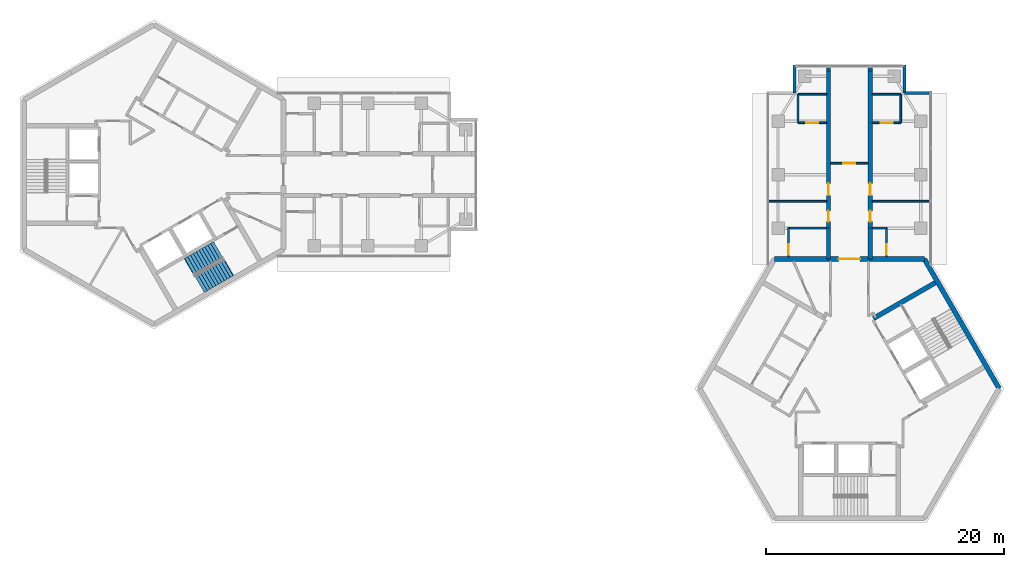
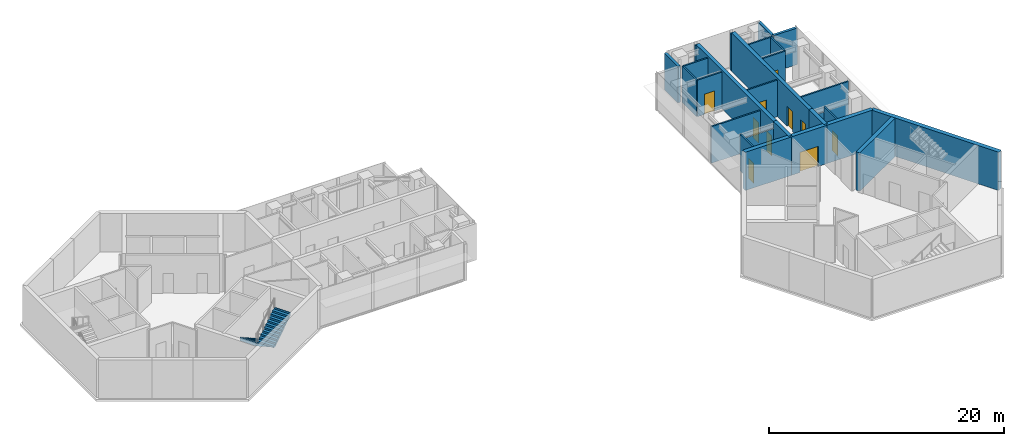
# One storey, part 9 of 11: 27 walls, 10 doors, 2 stair flights, 10 openings, 1 element without a shape of its own.
"""IFC4 building model written with IfcOpenShell, lengths in metres."""

import ifcopenshell
import ifcopenshell.guid

model = None  # the IFC model being written
_history = None  # IfcOwnerHistory: only IFC2X3 demands one
_inside = {}  # id of a spatial element -> (the spatial element, [elements in it])
_under = {}  # id of a project, library or spatial element -> (it, [spatial elements below it])
_declared = {}  # id of a project -> (the project, [libraries it declares])
_typed = {}  # id of a type object -> (the type object, [elements of that type])
_made_of = {}  # id of a material, layer set ... -> (it, [elements and type objects made of it])


def new_model(schema):
    """Start an empty IFC model of exactly this schema.

    Asked for "IFC4X3", IfcOpenShell would pick the latest addendum, in which some entities
    have other attributes; the version numbers below select the first issue.
    IFC2X3 requires an IfcOwnerHistory on every rooted entity: one is made here for all.
    """
    global model, _history
    if schema == "IFC4X3":
        model = ifcopenshell.file(schema_version=(4, 3, 0, 0))
    else:
        model = ifcopenshell.file(schema=schema)
    _inside.clear()
    _under.clear()
    _declared.clear()
    _typed.clear()
    _made_of.clear()
    _history = None
    if model.schema == "IFC2X3":
        org = make("IfcOrganization", Name="unknown")
        user = make(
            "IfcPersonAndOrganization",
            ThePerson=make("IfcPerson", FamilyName="unknown"),
            TheOrganization=org,
        )
        app = make(
            "IfcApplication",
            ApplicationDeveloper=org,
            Version="unknown",
            ApplicationFullName="unknown",
            ApplicationIdentifier="unknown",
        )
        _history = make(
            "IfcOwnerHistory",
            OwningUser=user,
            OwningApplication=app,
            ChangeAction="ADDED",
            CreationDate=0,
        )
    return model


def make(cls, **values):
    """One entity of the class cls with the attributes given. An attribute that is None is left unset."""
    return model.create_entity(
        cls, **{name: value for name, value in values.items() if value is not None}
    )


def rooted(cls, **values):
    """An entity with a GlobalId (a new one), such as an element, a storey or a relation."""
    return make(cls, GlobalId=ifcopenshell.guid.new(), OwnerHistory=_history, **values)


def si_unit(unit_type, name, prefix=None):
    """IfcSIUnit, for example si_unit("LENGTHUNIT", "METRE", prefix="MILLI")."""
    return make("IfcSIUnit", UnitType=unit_type, Prefix=prefix, Name=name)


def assignment(units):
    """IfcUnitAssignment: the units of a project."""
    return None if units is None else make("IfcUnitAssignment", Units=units)


def point(xyz):
    """IfcCartesianPoint."""
    return None if xyz is None else make("IfcCartesianPoint", Coordinates=xyz)


def direction(xyz):
    """IfcDirection."""
    return None if xyz is None else make("IfcDirection", DirectionRatios=xyz)


def frame(location, z_axis=None, x_axis=None):
    """IfcAxis2Placement3D, a coordinate frame: its origin and axes. An axis left out is left unset."""
    return make(
        "IfcAxis2Placement3D",
        Location=point(location),
        Axis=direction(z_axis),
        RefDirection=direction(x_axis),
    )


def frame_2d(location, x_axis=None):
    """IfcAxis2Placement2D, a coordinate frame in the plane: its origin and x axis."""
    return make(
        "IfcAxis2Placement2D", Location=point(location), RefDirection=direction(x_axis)
    )


def origin():
    """The frame at (0, 0, 0) with its axes left unset."""
    return frame((0.0, 0.0, 0.0))


def place(relative_to, where):
    """IfcLocalPlacement: puts the frame where relative to a parent placement (None: the world)."""
    return make(
        "IfcLocalPlacement", PlacementRelTo=relative_to, RelativePlacement=where
    )


def context(
    kind, dimensions, precision=None, world=None, true_north=None, identifier=None
):
    """IfcGeometricRepresentationContext, for example the 3D "Model" context."""
    return make(
        "IfcGeometricRepresentationContext",
        ContextIdentifier=identifier,
        ContextType=kind,
        CoordinateSpaceDimension=dimensions,
        Precision=precision,
        WorldCoordinateSystem=world,
        TrueNorth=true_north,
    )


def subcontext(parent, identifier, kind, view, scale=None):
    """IfcGeometricRepresentationSubContext, for example "Body" below "Model"."""
    return make(
        "IfcGeometricRepresentationSubContext",
        ContextIdentifier=identifier,
        ContextType=kind,
        ParentContext=parent,
        TargetScale=scale,
        TargetView=view,
    )


def project(units=None, contexts=None):
    """IfcProject with its units and contexts."""
    return rooted(
        "IfcProject",
        Name="project",
        RepresentationContexts=contexts,
        UnitsInContext=assignment(units),
    )


def spatial(cls, under=None, at=None, **own):
    """A site, building, storey or space (cls), placed at a placement, below another one or the project."""
    s = rooted(cls, ObjectPlacement=at, **own)
    if under is not None:
        _under.setdefault(under.id(), (under, []))[1].append(s)
    return s


def polyline(points):
    """IfcPolyline through the points."""
    return make("IfcPolyline", Points=[point(p) for p in points])


def profile(cls, at=None, kind="AREA", **sizes):
    """A parametric profile (cls). Its sizes go by their IFC names, for example OverallWidth=200.0."""
    return make(cls, ProfileType=kind, Position=at, **sizes)


def rectangle(**sizes):
    """IfcRectangleProfileDef."""
    return profile("IfcRectangleProfileDef", **sizes)


def outline(outer, holes=None, kind="AREA"):
    """IfcArbitraryClosedProfileDef: a profile drawn as a closed curve; with holes, ...WithVoids."""
    if holes is None:
        return make("IfcArbitraryClosedProfileDef", ProfileType=kind, OuterCurve=outer)
    return make(
        "IfcArbitraryProfileDefWithVoids",
        ProfileType=kind,
        OuterCurve=outer,
        InnerCurves=holes,
    )


def extrude(swept, where, along, depth):
    """IfcExtrudedAreaSolid: the profile swept, set in the frame where, extruded along a direction by depth."""
    return make(
        "IfcExtrudedAreaSolid",
        SweptArea=swept,
        Position=where,
        ExtrudedDirection=direction(along),
        Depth=depth,
    )


def shape(context_of_items, identifier, shape_type, items):
    """IfcShapeRepresentation: the items that make up one representation, for example the "Body"."""
    return make(
        "IfcShapeRepresentation",
        ContextOfItems=context_of_items,
        RepresentationIdentifier=identifier,
        RepresentationType=shape_type,
        Items=items,
    )


def material(Name=None, Category=None):
    """IfcMaterial."""
    return make("IfcMaterial", Name=Name, Category=Category)


def layer(
    of_material, thickness, ventilated=None, Name=None, Category=None, Priority=None
):
    """IfcMaterialLayer: one layer of a wall or slab, of a material (None: an air gap)."""
    return make(
        "IfcMaterialLayer",
        Material=of_material,
        LayerThickness=thickness,
        IsVentilated=ventilated,
        Name=Name,
        Category=Category,
        Priority=Priority,
    )


def layer_set(layers, Name=None):
    """IfcMaterialLayerSet."""
    return make("IfcMaterialLayerSet", MaterialLayers=layers, LayerSetName=Name)


def made_of(thing, what):
    """Note that an element or type object is made of a material, layer set ...; save() writes the relation."""
    if what is not None:
        _made_of.setdefault(what.id(), (what, []))[1].append(thing)
    return thing


def type_object(cls, material=None, **own):
    """A type object (cls), such as IfcWallType, which elements share."""
    return made_of(rooted(cls, **own), material)


def element(
    cls,
    number,
    at=None,
    inside=None,
    cuts=None,
    type_object=None,
    material=None,
    context=None,
    identifier="Body",
    shape_type=None,
    held_by="IfcProductDefinitionShape",
    body=None,
    shapes=None,
    **own,
):
    """One element of the class cls, such as IfcWall. Its Tag is "e" and its number.

    at: its placement. inside: the storey or other place that contains it. cuts: it is an
    opening in that element (IfcRelVoidsElement). A single representation is given by context,
    identifier, shape_type and body (its items); several are given by shapes. held_by: the class
    of the entity that holds the representations. save() writes the other relations.
    """
    e = rooted(cls, Tag="e%d" % number, ObjectPlacement=at, **own)
    if body is not None:
        shapes = [shape(context, identifier, shape_type, body)]
    if shapes is not None:
        e.Representation = make(held_by, Representations=shapes)
    if inside is not None:
        _inside.setdefault(inside.id(), (inside, []))[1].append(e)
    if cuts is not None:
        rooted(
            "IfcRelVoidsElement", RelatingBuildingElement=cuts, RelatedOpeningElement=e
        )
    if type_object is not None:
        _typed.setdefault(type_object.id(), (type_object, []))[1].append(e)
    return made_of(e, material)


def fill(opening, filler):
    """IfcRelFillsElement: the door or window that sits in an opening."""
    return rooted(
        "IfcRelFillsElement",
        RelatingOpeningElement=opening,
        RelatedBuildingElement=filler,
    )


def aggregate(whole, parts):
    """IfcRelAggregates: a whole, such as a stair, and the parts it consists of."""
    return rooted("IfcRelAggregates", RelatingObject=whole, RelatedObjects=parts)


def save(model, path):
    """Write the relations noted so far, then the file.

    IfcRelAggregates (storeys below a building ...), IfcRelContainedInSpatialStructure (elements
    in a storey), IfcRelDefinesByType, IfcRelAssociatesMaterial and IfcRelDeclares: one each for
    every whole, place, type object, material and project.
    """
    for whole, parts in _under.values():
        aggregate(whole, parts)
    for where, things in _inside.values():
        rooted(
            "IfcRelContainedInSpatialStructure",
            RelatedElements=things,
            RelatingStructure=where,
        )
    for kind, things in _typed.values():
        rooted("IfcRelDefinesByType", RelatedObjects=things, RelatingType=kind)
    for what, things in _made_of.values():
        rooted("IfcRelAssociatesMaterial", RelatedObjects=things, RelatingMaterial=what)
    for by, libraries in _declared.values():
        rooted("IfcRelDeclares", RelatingContext=by, RelatedDefinitions=libraries)
    model.write(path)


model = new_model("IFC4")

# Units and contexts
model_context = context("Model", 3, precision=1e-05, world=origin(), true_north=direction((0.0, 1.0)))
body_context = subcontext(model_context, "Body", "Model", "MODEL_VIEW")
ifc_project = project(units=[si_unit("LENGTHUNIT", "METRE"), si_unit("AREAUNIT", "SQUARE_METRE"), si_unit("VOLUMEUNIT", "CUBIC_METRE"), si_unit("PLANEANGLEUNIT", "RADIAN"), si_unit("MASSUNIT", "GRAM", prefix="KILO")], contexts=[model_context])

# Site, building, storey
site_placement = place(None, origin())
site = spatial("IfcSite", under=ifc_project, at=site_placement, CompositionType="ELEMENT")
building_placement = place(site_placement, origin())
building = spatial("IfcBuilding", under=site, at=building_placement, Name="Upepo Twin Towers", CompositionType="ELEMENT")
storey_placement = place(building_placement, frame((0.0, 0.0, 255.5)))
storey = spatial("IfcBuildingStorey", under=building, at=storey_placement, Name="L62", CompositionType="ELEMENT", Elevation=255.5)

# Walls
ifc_material_1 = material(Name="Dense concrete blockwork", Category="masonry")
ifc_layer_1 = layer(ifc_material_1, 0.35009765625)
ifc_layer_set_1 = layer_set([ifc_layer_1], Name="Buttress closer 350, blockwork with fire-stopping to the curtain wall")
wall_type_1 = type_object("IfcWallType", Name="Buttress closer 350, blockwork with fire-stopping to the curtain wall", PredefinedType="PARTITIONING", material=ifc_layer_set_1)
for number, where, z_axis, x_axis, name in (
    (1, (56.75, 8.699951171875, 0.0), (0.0, 0.0, 1.0), (0.0, 1.0, 0.0), "T2 L62 wing A buttress closer L"),
    (2, (60.25, 8.699951171875, 0.0), (0.0, 0.0, 1.0), (0.0, 1.0, 0.0), "T2 L62 wing A buttress closer R"),
):
    element("IfcWall", number, at=place(storey_placement, frame(where, z_axis=z_axis, x_axis=x_axis)), inside=storey, type_object=wall_type_1, Name=name, PredefinedType="PARTITIONING", context=body_context, shape_type="SweptSolid", body=[
        extrude(rectangle(XDim=0.275146484375, YDim=0.35009765625, at=frame_2d((0.1376953125, 0.0))), origin(), (0.0, 0.0, 1.0), 3.800048828125),
    ])
ifc_material_2 = material(Name="Concrete C60/75", Category="concrete")
ifc_layer_2 = layer(ifc_material_2, 0.35009765625)
ifc_layer_set_2 = layer_set([ifc_layer_2], Name="Concrete C60/75")
wall_type_2 = type_object("IfcWallType", Name="Buttress wall 350 RC", PredefinedType="SHEAR", material=ifc_layer_set_2)
wall_1_placement = place(storey_placement, frame((56.75, -7.091552734375, 0.0), z_axis=(0.0, 0.0, 1.0), x_axis=(0.0, 1.0, 0.0)))
element("IfcWall", 3, at=wall_1_placement, inside=storey, type_object=wall_type_2, Name="T2 wing A buttress wall L", PredefinedType="SHEAR", context=body_context, shape_type="SweptSolid", body=[
    extrude(rectangle(XDim=2.591552734375, YDim=0.35009765625, at=frame_2d((1.2958984375, 0.0))), origin(), (0.0, 0.0, 1.0), 4.0),
])

# Wall, openings, doors
wall_2_placement = place(storey_placement, frame((56.75, -4.5, 0.0), z_axis=(0.0, 0.0, 1.0), x_axis=(0.0, 1.0, 0.0)))
wall_2 = element("IfcWall", 4, at=wall_2_placement, inside=storey, type_object=wall_type_2, Name="T2 wing A buttress wall L part 2", PredefinedType="SHEAR", context=body_context, shape_type="SweptSolid", body=[
    extrude(rectangle(XDim=13.199951171875, YDim=0.35009765625, at=frame_2d((6.60009765625, 0.0))), origin(), (0.0, 0.0, 1.0), 4.0),
])
opening_1_placement = place(wall_2_placement, frame((0.550048828125, 0.0, 0.0)))
opening_1 = element("IfcOpeningElement", 5, at=opening_1_placement, cuts=wall_2, Name="Opening D11", PredefinedType="OPENING", context=body_context, shape_type="SweptSolid", body=[
    extrude(rectangle(XDim=0.89990234375, YDim=2.10009765625, at=frame_2d((0.449951171875, 1.050048828125))), frame((0.0, 0.18505859375, 0.0), z_axis=(0.0, -1.0, 0.0), x_axis=(1.0, 0.0, 0.0)), (0.0, 0.0, 1.0), 0.3701171875),
])
opening_2_placement = place(wall_2_placement, frame((2.75, 0.0, 0.0)))
opening_2 = element("IfcOpeningElement", 6, at=opening_2_placement, cuts=wall_2, Name="Opening D1", PredefinedType="OPENING", context=body_context, shape_type="SweptSolid", body=[
    extrude(rectangle(XDim=1.0, YDim=2.10009765625, at=frame_2d((0.5, 1.050048828125))), frame((0.0, 0.18505859375, 0.0), z_axis=(0.0, -1.0, 0.0), x_axis=(1.0, 0.0, 0.0)), (0.0, 0.0, 1.0), 0.3701171875),
])
ifc_material_3 = material(Name="Timber doorset", Category="wood")
door_type_1 = type_object("IfcDoorType", Name="Room door 1000 FD30", OperationType="SINGLE_SWING_LEFT", PredefinedType="DOOR", material=ifc_material_3)
door_1_placement = place(opening_2_placement, origin())
door_1 = element("IfcDoor", 7, at=door_1_placement, inside=storey, type_object=door_type_1, Name="T2 L62 open-plan office door", OperationType="SINGLE_SWING_LEFT", OverallHeight=2.10009765625, OverallWidth=1.0, PredefinedType="DOOR", context=body_context, shape_type="SweptSolid", body=[
    extrude(rectangle(XDim=1.0, YDim=2.10009765625, at=frame_2d((0.5, 1.050048828125))), frame((0.0, 0.02490234375, 0.0), z_axis=(0.0, -1.0, 0.0), x_axis=(1.0, 0.0, 0.0)), (0.0, 0.0, 1.0), 0.050048828125),
])
fill(opening_2, door_1)
ifc_material_4 = material(Name="Timber doorset", Category="wood")
door_type_2 = type_object("IfcDoorType", Name="Toilet door 900", OperationType="SINGLE_SWING_LEFT", PredefinedType="DOOR", material=ifc_material_4)
door_2_placement = place(opening_1_placement, origin())
door_2 = element("IfcDoor", 8, at=door_2_placement, inside=storey, type_object=door_type_2, Name="T2 L62 accessible wc door", OperationType="SINGLE_SWING_LEFT", OverallHeight=2.10009765625, OverallWidth=0.89990234375, PredefinedType="DOOR", context=body_context, shape_type="SweptSolid", body=[
    extrude(rectangle(XDim=0.89990234375, YDim=2.10009765625, at=frame_2d((0.449951171875, 1.050048828125))), frame((0.0, 0.02490234375, 0.0), z_axis=(0.0, -1.0, 0.0), x_axis=(1.0, 0.0, 0.0)), (0.0, 0.0, 1.0), 0.050048828125),
])
fill(opening_1, door_2)

# Wall
wall_3_placement = place(storey_placement, frame((60.25, -7.091552734375, 0.0), z_axis=(0.0, 0.0, 1.0), x_axis=(0.0, 1.0, 0.0)))
element("IfcWall", 9, at=wall_3_placement, inside=storey, type_object=wall_type_2, Name="T2 wing A buttress wall R", PredefinedType="SHEAR", context=body_context, shape_type="SweptSolid", body=[
    extrude(rectangle(XDim=2.591552734375, YDim=0.35009765625, at=frame_2d((1.2958984375, 0.0))), origin(), (0.0, 0.0, 1.0), 4.0),
])

# Wall, openings, doors
wall_4_placement = place(storey_placement, frame((60.25, -4.5, 0.0), z_axis=(0.0, 0.0, 1.0), x_axis=(0.0, 1.0, 0.0)))
wall_4 = element("IfcWall", 10, at=wall_4_placement, inside=storey, type_object=wall_type_2, Name="T2 wing A buttress wall R part 2", PredefinedType="SHEAR", context=body_context, shape_type="SweptSolid", body=[
    extrude(rectangle(XDim=13.199951171875, YDim=0.35009765625, at=frame_2d((6.60009765625, 0.0))), origin(), (0.0, 0.0, 1.0), 4.0),
])
opening_3_placement = place(wall_4_placement, frame((0.550048828125, 0.0, 0.0)))
opening_3 = element("IfcOpeningElement", 11, at=opening_3_placement, cuts=wall_4, Name="Opening D11", PredefinedType="OPENING", context=body_context, shape_type="SweptSolid", body=[
    extrude(rectangle(XDim=0.89990234375, YDim=2.10009765625, at=frame_2d((0.449951171875, 1.050048828125))), frame((0.0, 0.18505859375, 0.0), z_axis=(0.0, -1.0, 0.0), x_axis=(1.0, 0.0, 0.0)), (0.0, 0.0, 1.0), 0.3701171875),
])
opening_4_placement = place(wall_4_placement, frame((2.75, 0.0, 0.0)))
opening_4 = element("IfcOpeningElement", 12, at=opening_4_placement, cuts=wall_4, Name="Opening D1", PredefinedType="OPENING", context=body_context, shape_type="SweptSolid", body=[
    extrude(rectangle(XDim=1.0, YDim=2.10009765625, at=frame_2d((0.5, 1.050048828125))), frame((0.0, 0.18505859375, 0.0), z_axis=(0.0, -1.0, 0.0), x_axis=(1.0, 0.0, 0.0)), (0.0, 0.0, 1.0), 0.3701171875),
])
door_3_placement = place(opening_4_placement, origin())
door_3 = element("IfcDoor", 13, at=door_3_placement, inside=storey, type_object=door_type_1, Name="T2 L62 open-plan office door", OperationType="SINGLE_SWING_LEFT", OverallHeight=2.10009765625, OverallWidth=1.0, PredefinedType="DOOR", context=body_context, shape_type="SweptSolid", body=[
    extrude(rectangle(XDim=1.0, YDim=2.10009765625, at=frame_2d((0.5, 1.050048828125))), frame((0.0, 0.02490234375, 0.0), z_axis=(0.0, -1.0, 0.0), x_axis=(1.0, 0.0, 0.0)), (0.0, 0.0, 1.0), 0.050048828125),
])
fill(opening_4, door_3)
door_4_placement = place(opening_3_placement, origin())
door_4 = element("IfcDoor", 14, at=door_4_placement, inside=storey, type_object=door_type_2, Name="T2 L62 toilets door", OperationType="SINGLE_SWING_LEFT", OverallHeight=2.10009765625, OverallWidth=0.89990234375, PredefinedType="DOOR", context=body_context, shape_type="SweptSolid", body=[
    extrude(rectangle(XDim=0.89990234375, YDim=2.10009765625, at=frame_2d((0.449951171875, 1.050048828125))), frame((0.0, 0.02490234375, 0.0), z_axis=(0.0, -1.0, 0.0), x_axis=(1.0, 0.0, 0.0)), (0.0, 0.0, 1.0), 0.050048828125),
])
fill(opening_3, door_4)

# Wall
ifc_material_5 = material(Name="Concrete C60/75", Category="concrete")
ifc_layer_3 = layer(ifc_material_5, 0.39990234375)
ifc_layer_set_3 = layer_set([ifc_layer_3], Name="Concrete C60/75")
wall_type_3 = type_object("IfcWallType", Name="Core wall 400 RC", PredefinedType="SHEAR", material=ifc_layer_set_3)
wall_5_placement = place(storey_placement, frame((64.7978515625, -7.091552734375, 0.0), z_axis=(0.0, 0.0, 1.0), x_axis=(-1.0, 0.0, 0.0)))
element("IfcWall", 15, at=wall_5_placement, inside=storey, type_object=wall_type_3, Name="T2 core wall 000 R", PredefinedType="SHEAR", context=body_context, shape_type="SweptSolid", body=[
    extrude(rectangle(XDim=4.5478515625, YDim=0.39990234375, at=frame_2d((2.27392578125, 0.0))), origin(), (0.0, 0.0, 1.0), 4.0),
])

# Wall, opening, door
wall_6_placement = place(storey_placement, frame((60.25, -7.091552734375, 0.0), z_axis=(0.0, 0.0, 1.0), x_axis=(-1.0, 0.0, 0.0)))
wall_6 = element("IfcWall", 16, at=wall_6_placement, inside=storey, type_object=wall_type_3, Name="T2 core wall 000", PredefinedType="SHEAR", context=body_context, shape_type="SweptSolid", body=[
    extrude(rectangle(XDim=3.5, YDim=0.39990234375, at=frame_2d((1.75, 0.0))), origin(), (0.0, 0.0, 1.0), 4.0),
])
opening_5_placement = place(wall_6_placement, frame((0.85009765625, 0.0, 0.0)))
opening_5 = element("IfcOpeningElement", 17, at=opening_5_placement, cuts=wall_6, Name="Opening D2", PredefinedType="OPENING", context=body_context, shape_type="SweptSolid", body=[
    extrude(rectangle(XDim=1.800048828125, YDim=2.10009765625, at=frame_2d((0.89990234375, 1.050048828125))), frame((0.0, 0.2099609375, 0.0), z_axis=(0.0, -1.0, 0.0), x_axis=(1.0, 0.0, 0.0)), (0.0, 0.0, 1.0), 0.419921875),
])
ifc_material_6 = material(Name="Timber doorset", Category="wood")
door_type_3 = type_object("IfcDoorType", Name="Corridor double door 1800 FD60", OperationType="DOUBLE_DOOR_DOUBLE_SWING", PredefinedType="DOOR", material=ifc_material_6)
door_5_placement = place(opening_5_placement, origin())
door_5 = element("IfcDoor", 18, at=door_5_placement, inside=storey, type_object=door_type_3, Name="T2 L62 wing A corridor door", OperationType="DOUBLE_DOOR_DOUBLE_SWING", OverallHeight=2.10009765625, OverallWidth=1.800048828125, PredefinedType="DOOR", context=body_context, shape_type="SweptSolid", body=[
    extrude(rectangle(XDim=1.800048828125, YDim=2.10009765625, at=frame_2d((0.89990234375, 1.050048828125))), frame((0.0, 0.02490234375, 0.0), z_axis=(0.0, -1.0, 0.0), x_axis=(1.0, 0.0, 0.0)), (0.0, 0.0, 1.0), 0.050048828125),
])
fill(opening_5, door_5)

# Walls
wall_7_placement = place(storey_placement, frame((56.75, -7.091552734375, 0.0), z_axis=(0.0, 0.0, 1.0), x_axis=(-1.0, 0.0, 0.0)))
element("IfcWall", 19, at=wall_7_placement, inside=storey, type_object=wall_type_3, Name="T2 core wall 000 L", PredefinedType="SHEAR", context=body_context, shape_type="SweptSolid", body=[
    extrude(rectangle(XDim=4.5478515625, YDim=0.39990234375, at=frame_2d((2.27392578125, 0.0))), origin(), (0.0, 0.0, 1.0), 4.0),
])
wall_8_placement = place(storey_placement, frame((71.095947265625, -18.0, 0.0), z_axis=(0.0, 0.0, 1.0), x_axis=(-0.500005998175, 0.866021940709, 0.0)))
element("IfcWall", 20, at=wall_8_placement, inside=storey, type_object=wall_type_3, Name="T2 core wall 300", PredefinedType="SHEAR", context=body_context, shape_type="SweptSolid", body=[
    extrude(rectangle(XDim=12.595947265625, YDim=0.39990234375, at=frame_2d((6.2978515625, 0.0))), origin(), (0.0, 0.0, 1.0), 4.0),
])
ifc_material_7 = material(Name="Blockwork with anodised aluminium cladding", Category="masonry")
ifc_layer_4 = layer(ifc_material_7, 0.25)
ifc_layer_set_4 = layer_set([ifc_layer_4], Name="Notch cladding wall 250, pale metal")
wall_type_4 = type_object("IfcWallType", Name="Notch cladding wall 250, pale metal", PredefinedType="STANDARD", material=ifc_layer_set_4)
for number, where, z_axis, x_axis, name in (
    (21, (53.875, 6.875, 0.0), (0.0, 0.0, 1.0), (0.0, 1.0, 0.0), "T2 L62 wing A notch wall L2"),
    (22, (65.449951171875, 6.875, 0.0), (0.0, 0.0, 1.0), (-1.0, 0.0, 0.0), "T2 L62 wing A notch wall R1"),
    (23, (63.125, 6.875, 0.0), (0.0, 0.0, 1.0), (0.0, 1.0, 0.0), "T2 L62 wing A notch wall R2"),
):
    element("IfcWall", number, at=place(storey_placement, frame(where, z_axis=z_axis, x_axis=x_axis)), inside=storey, type_object=wall_type_4, Name=name, PredefinedType="STANDARD", context=body_context, shape_type="SweptSolid", body=[
        extrude(rectangle(XDim=2.324951171875, YDim=0.25, at=frame_2d((1.16259765625, 0.0))), origin(), (0.0, 0.0, 1.0), 3.800048828125),
    ])
ifc_material_8 = material(Name="Concrete C40/50", Category="concrete")
ifc_layer_5 = layer(ifc_material_8, 0.39990234375)
ifc_layer_set_5 = layer_set([ifc_layer_5], Name="Concrete C40/50")
wall_type_5 = type_object("IfcWallType", Name="Shaft wall 400 RC", PredefinedType="SHEAR", material=ifc_layer_set_5)
wall_9_placement = place(storey_placement, frame((60.520263671875, -12.099365234375, 0.0), z_axis=(0.0, 0.0, 1.0), x_axis=(0.866026570101, 0.499997979876, 0.0)))
element("IfcWall", 24, at=wall_9_placement, inside=storey, type_object=wall_type_5, Name="T2 core W300 side wall N", PredefinedType="SHEAR", context=body_context, shape_type="SweptSolid", body=[
    extrude(rectangle(XDim=6.00830078125, YDim=0.39990234375, at=frame_2d((3.004150390625, 0.0))), origin(), (0.0, 0.0, 1.0), 4.0),
])
ifc_material_9 = material(Name="Gypsum board on steel studs", Category="steel")
ifc_layer_6 = layer(ifc_material_9, 0.14990234375)
ifc_layer_set_6 = layer_set([ifc_layer_6], Name="Teaching partition 150 acoustic")
wall_type_6 = type_object("IfcWallType", Name="Teaching partition 150 acoustic", PredefinedType="PARTITIONING", material=ifc_layer_set_6)
wall_10_placement = place(storey_placement, frame((56.574951171875, -2.25, 0.0), z_axis=(0.0, 0.0, 1.0), x_axis=(-1.0, 0.0, 0.0)))
element("IfcWall", 25, at=wall_10_placement, inside=storey, type_object=wall_type_6, Name="T2 partition AL at 15.75", PredefinedType="PARTITIONING", context=body_context, shape_type="SweptSolid", body=[
    extrude(rectangle(XDim=4.824951171875, YDim=0.14990234375, at=frame_2d((2.41259765625, 0.0))), origin(), (0.0, 0.0, 1.0), 3.800048828125),
])
wall_11_placement = place(storey_placement, frame((54.175048828125, 4.35009765625, 0.0), z_axis=(0.0, 0.0, 1.0), x_axis=(0.0, 1.0, 0.0)))
element("IfcWall", 26, at=wall_11_placement, inside=storey, type_object=wall_type_6, Name="T2 inner room partition AL at 22.35", PredefinedType="PARTITIONING", context=body_context, shape_type="SweptSolid", body=[
    extrude(rectangle(XDim=2.39990234375, YDim=0.14990234375, at=frame_2d((1.199951171875, 0.0))), origin(), (0.0, 0.0, 1.0), 3.800048828125),
])

# Wall, opening, door
wall_12_placement = place(storey_placement, frame((56.574951171875, 4.35009765625, 0.0), z_axis=(0.0, 0.0, 1.0), x_axis=(-1.0, 0.0, 0.0)))
wall_12 = element("IfcWall", 27, at=wall_12_placement, inside=storey, type_object=wall_type_6, Name="T2 inner room partition AL end at 22.35", PredefinedType="PARTITIONING", context=body_context, shape_type="SweptSolid", body=[
    extrude(rectangle(XDim=2.39990234375, YDim=0.14990234375, at=frame_2d((1.199951171875, 0.0))), origin(), (0.0, 0.0, 1.0), 3.800048828125),
])
opening_6_placement = place(wall_12_placement, frame((0.699951171875, 0.0, 0.0)))
opening_6 = element("IfcOpeningElement", 28, at=opening_6_placement, cuts=wall_12, Name="Opening D1", PredefinedType="OPENING", context=body_context, shape_type="SweptSolid", body=[
    extrude(rectangle(XDim=1.0, YDim=2.10009765625, at=frame_2d((0.5, 1.050048828125))), frame((0.0, 0.0849609375, 0.0), z_axis=(0.0, -1.0, 0.0), x_axis=(1.0, 0.0, 0.0)), (0.0, 0.0, 1.0), 0.169921875),
])
door_6_placement = place(opening_6_placement, origin())
door_6 = element("IfcDoor", 29, at=door_6_placement, inside=storey, type_object=door_type_1, Name="T2 L62 inner room door", OperationType="SINGLE_SWING_LEFT", OverallHeight=2.10009765625, OverallWidth=1.0, PredefinedType="DOOR", context=body_context, shape_type="SweptSolid", body=[
    extrude(rectangle(XDim=1.0, YDim=2.10009765625, at=frame_2d((0.5, 1.050048828125))), frame((0.0, 0.02490234375, 0.0), z_axis=(0.0, -1.0, 0.0), x_axis=(1.0, 0.0, 0.0)), (0.0, 0.0, 1.0), 0.050048828125),
])
fill(opening_6, door_6)

# Wall
wall_13_placement = place(storey_placement, frame((56.574951171875, 6.75, 0.0), z_axis=(0.0, 0.0, 1.0), x_axis=(-1.0, 0.0, 0.0)))
element("IfcWall", 30, at=wall_13_placement, inside=storey, type_object=wall_type_6, Name="T2 inner room partition AL end at 24.75", PredefinedType="PARTITIONING", context=body_context, shape_type="SweptSolid", body=[
    extrude(rectangle(XDim=2.39990234375, YDim=0.14990234375, at=frame_2d((1.199951171875, 0.0))), origin(), (0.0, 0.0, 1.0), 3.800048828125),
])

# Wall, opening, door
wall_14_placement = place(storey_placement, frame((53.375, -6.89208984375, 0.0), z_axis=(0.0, 0.0, 1.0), x_axis=(0.0, 1.0, 0.0)))
wall_14 = element("IfcWall", 31, at=wall_14_placement, inside=storey, type_object=wall_type_6, Name="T2 WC bay partition AL at 11.11", PredefinedType="PARTITIONING", context=body_context, shape_type="SweptSolid", body=[
    extrude(rectangle(XDim=2.400146484375, YDim=0.14990234375, at=frame_2d((1.2001953125, 0.0))), origin(), (0.0, 0.0, 1.0), 3.800048828125),
])
opening_7_placement = place(wall_14_placement, frame((0.14990234375, 0.0, 0.0)))
opening_7 = element("IfcOpeningElement", 32, at=opening_7_placement, cuts=wall_14, Name="Opening D14", PredefinedType="OPENING", context=body_context, shape_type="SweptSolid", body=[
    extrude(rectangle(XDim=0.89990234375, YDim=2.10009765625, at=frame_2d((0.449951171875, 1.050048828125))), frame((0.0, 0.0849609375, 0.0), z_axis=(0.0, -1.0, 0.0), x_axis=(1.0, 0.0, 0.0)), (0.0, 0.0, 1.0), 0.169921875),
])
ifc_material_10 = material(Name="Timber doorset", Category="wood")
door_type_4 = type_object("IfcDoorType", Name="Office door 900 FD30", OperationType="SINGLE_SWING_LEFT", PredefinedType="DOOR", material=ifc_material_10)
door_7_placement = place(opening_7_placement, origin())
door_7 = element("IfcDoor", 33, at=door_7_placement, inside=storey, type_object=door_type_4, Name="T2 L62 WC bay inner room door", OperationType="SINGLE_SWING_LEFT", OverallHeight=2.10009765625, OverallWidth=0.89990234375, PredefinedType="DOOR", context=body_context, shape_type="SweptSolid", body=[
    extrude(rectangle(XDim=0.89990234375, YDim=2.10009765625, at=frame_2d((0.449951171875, 1.050048828125))), frame((0.0, 0.02490234375, 0.0), z_axis=(0.0, -1.0, 0.0), x_axis=(1.0, 0.0, 0.0)), (0.0, 0.0, 1.0), 0.050048828125),
])
fill(opening_7, door_7)

# Walls
wall_15_placement = place(storey_placement, frame((56.574951171875, -4.491943359375, 0.0), z_axis=(0.0, 0.0, 1.0), x_axis=(-1.0, 0.0, 0.0)))
element("IfcWall", 34, at=wall_15_placement, inside=storey, type_object=wall_type_6, Name="T2 WC bay partition AL end at 13.51", PredefinedType="PARTITIONING", context=body_context, shape_type="SweptSolid", body=[
    extrude(rectangle(XDim=3.199951171875, YDim=0.14990234375, at=frame_2d((1.60009765625, 0.0))), origin(), (0.0, 0.0, 1.0), 3.266845703125),
])
wall_16_placement = place(storey_placement, frame((60.425048828125, -2.25, 0.0), z_axis=(0.0, 0.0, 1.0), x_axis=(1.0, 0.0, 0.0)))
element("IfcWall", 35, at=wall_16_placement, inside=storey, type_object=wall_type_6, Name="T2 partition AR at 15.75", PredefinedType="PARTITIONING", context=body_context, shape_type="SweptSolid", body=[
    extrude(rectangle(XDim=4.824951171875, YDim=0.14990234375, at=frame_2d((2.41259765625, 0.0))), origin(), (0.0, 0.0, 1.0), 3.800048828125),
])
wall_17_placement = place(storey_placement, frame((62.824951171875, 4.35009765625, 0.0), z_axis=(0.0, 0.0, 1.0), x_axis=(0.0, 1.0, 0.0)))
element("IfcWall", 36, at=wall_17_placement, inside=storey, type_object=wall_type_6, Name="T2 inner room partition AR at 22.35", PredefinedType="PARTITIONING", context=body_context, shape_type="SweptSolid", body=[
    extrude(rectangle(XDim=2.39990234375, YDim=0.14990234375, at=frame_2d((1.199951171875, 0.0))), origin(), (0.0, 0.0, 1.0), 3.800048828125),
])

# Wall, opening, door
wall_18_placement = place(storey_placement, frame((60.425048828125, 4.35009765625, 0.0), z_axis=(0.0, 0.0, 1.0), x_axis=(1.0, 0.0, 0.0)))
wall_18 = element("IfcWall", 37, at=wall_18_placement, inside=storey, type_object=wall_type_6, Name="T2 inner room partition AR end at 22.35", PredefinedType="PARTITIONING", context=body_context, shape_type="SweptSolid", body=[
    extrude(rectangle(XDim=2.39990234375, YDim=0.14990234375, at=frame_2d((1.199951171875, 0.0))), origin(), (0.0, 0.0, 1.0), 3.800048828125),
])
opening_8_placement = place(wall_18_placement, frame((0.699951171875, 0.0, 0.0)))
opening_8 = element("IfcOpeningElement", 38, at=opening_8_placement, cuts=wall_18, Name="Opening D1", PredefinedType="OPENING", context=body_context, shape_type="SweptSolid", body=[
    extrude(rectangle(XDim=1.0, YDim=2.10009765625, at=frame_2d((0.5, 1.050048828125))), frame((0.0, 0.0849609375, 0.0), z_axis=(0.0, -1.0, 0.0), x_axis=(1.0, 0.0, 0.0)), (0.0, 0.0, 1.0), 0.169921875),
])
door_8_placement = place(opening_8_placement, origin())
door_8 = element("IfcDoor", 39, at=door_8_placement, inside=storey, type_object=door_type_1, Name="T2 L62 inner room door", OperationType="SINGLE_SWING_LEFT", OverallHeight=2.10009765625, OverallWidth=1.0, PredefinedType="DOOR", context=body_context, shape_type="SweptSolid", body=[
    extrude(rectangle(XDim=1.0, YDim=2.10009765625, at=frame_2d((0.5, 1.050048828125))), frame((0.0, 0.02490234375, 0.0), z_axis=(0.0, -1.0, 0.0), x_axis=(1.0, 0.0, 0.0)), (0.0, 0.0, 1.0), 0.050048828125),
])
fill(opening_8, door_8)

# Wall
wall_19_placement = place(storey_placement, frame((60.425048828125, 6.75, 0.0), z_axis=(0.0, 0.0, 1.0), x_axis=(1.0, 0.0, 0.0)))
element("IfcWall", 40, at=wall_19_placement, inside=storey, type_object=wall_type_6, Name="T2 inner room partition AR end at 24.75", PredefinedType="PARTITIONING", context=body_context, shape_type="SweptSolid", body=[
    extrude(rectangle(XDim=2.39990234375, YDim=0.14990234375, at=frame_2d((1.199951171875, 0.0))), origin(), (0.0, 0.0, 1.0), 3.800048828125),
])

# Wall, opening, door
wall_20_placement = place(storey_placement, frame((61.625, -6.89208984375, 0.0), z_axis=(0.0, 0.0, 1.0), x_axis=(0.0, 1.0, 0.0)))
wall_20 = element("IfcWall", 41, at=wall_20_placement, inside=storey, type_object=wall_type_6, Name="T2 WC bay partition AR at 11.11", PredefinedType="PARTITIONING", context=body_context, shape_type="SweptSolid", body=[
    extrude(rectangle(XDim=2.400146484375, YDim=0.14990234375, at=frame_2d((1.2001953125, 0.0))), origin(), (0.0, 0.0, 1.0), 3.800048828125),
])
opening_9_placement = place(wall_20_placement, frame((0.14990234375, 0.0, 0.0)))
opening_9 = element("IfcOpeningElement", 42, at=opening_9_placement, cuts=wall_20, Name="Opening D14", PredefinedType="OPENING", context=body_context, shape_type="SweptSolid", body=[
    extrude(rectangle(XDim=0.89990234375, YDim=2.10009765625, at=frame_2d((0.449951171875, 1.050048828125))), frame((0.0, 0.0849609375, 0.0), z_axis=(0.0, -1.0, 0.0), x_axis=(1.0, 0.0, 0.0)), (0.0, 0.0, 1.0), 0.169921875),
])
door_9_placement = place(opening_9_placement, origin())
door_9 = element("IfcDoor", 43, at=door_9_placement, inside=storey, type_object=door_type_4, Name="T2 L62 WC bay inner room door", OperationType="SINGLE_SWING_LEFT", OverallHeight=2.10009765625, OverallWidth=0.89990234375, PredefinedType="DOOR", context=body_context, shape_type="SweptSolid", body=[
    extrude(rectangle(XDim=0.89990234375, YDim=2.10009765625, at=frame_2d((0.449951171875, 1.050048828125))), frame((0.0, 0.02490234375, 0.0), z_axis=(0.0, -1.0, 0.0), x_axis=(1.0, 0.0, 0.0)), (0.0, 0.0, 1.0), 0.050048828125),
])
fill(opening_9, door_9)

# Wall
wall_21_placement = place(storey_placement, frame((60.425048828125, -4.491943359375, 0.0), z_axis=(0.0, 0.0, 1.0), x_axis=(1.0, 0.0, 0.0)))
element("IfcWall", 44, at=wall_21_placement, inside=storey, type_object=wall_type_6, Name="T2 WC bay partition AR end at 13.51", PredefinedType="PARTITIONING", context=body_context, shape_type="SweptSolid", body=[
    extrude(rectangle(XDim=1.199951171875, YDim=0.14990234375, at=frame_2d((0.60009765625, 0.0))), origin(), (0.0, 0.0, 1.0), 3.266845703125),
])

# Wall, opening, door
wall_22_placement = place(storey_placement, frame((60.074951171875, 0.949951171875, 0.0), z_axis=(0.0, 0.0, 1.0), x_axis=(-1.0, 0.0, 0.0)))
wall_22 = element("IfcWall", 45, at=wall_22_placement, inside=storey, type_object=wall_type_6, Name="T2 corridor end partition A at 18.95", PredefinedType="PARTITIONING", context=body_context, shape_type="SweptSolid", body=[
    extrude(rectangle(XDim=3.14990234375, YDim=0.14990234375, at=frame_2d((1.574951171875, 0.0))), origin(), (0.0, 0.0, 1.0), 3.800048828125),
])
opening_10_placement = place(wall_22_placement, frame((1.074951171875, 0.0, 0.0)))
opening_10 = element("IfcOpeningElement", 46, at=opening_10_placement, cuts=wall_22, Name="Opening D1", PredefinedType="OPENING", context=body_context, shape_type="SweptSolid", body=[
    extrude(rectangle(XDim=1.0, YDim=2.10009765625, at=frame_2d((0.5, 1.050048828125))), frame((0.0, 0.0849609375, 0.0), z_axis=(0.0, -1.0, 0.0), x_axis=(1.0, 0.0, 0.0)), (0.0, 0.0, 1.0), 0.169921875),
])
door_10_placement = place(opening_10_placement, origin())
door_10 = element("IfcDoor", 47, at=door_10_placement, inside=storey, type_object=door_type_1, Name="T2 L62 breakout study room door", OperationType="SINGLE_SWING_LEFT", OverallHeight=2.10009765625, OverallWidth=1.0, PredefinedType="DOOR", context=body_context, shape_type="SweptSolid", body=[
    extrude(rectangle(XDim=1.0, YDim=2.10009765625, at=frame_2d((0.5, 1.050048828125))), frame((0.0, 0.02490234375, 0.0), z_axis=(0.0, -1.0, 0.0), x_axis=(1.0, 0.0, 0.0)), (0.0, 0.0, 1.0), 0.050048828125),
])
fill(opening_10, door_10)

# Stair, stair flights
ifc_material_11 = material(Name="Concrete C40/50", Category="concrete")
stair_type = type_object("IfcStairType", Name="Core stair, two flights", PredefinedType="HALF_TURN_STAIR", material=ifc_material_11)
stair_placement = place(storey_placement, origin())
stair = element("IfcStair", 48, at=stair_placement, inside=storey, type_object=stair_type, Name="T1 stair S2 L62", PredefinedType="HALF_TURN_STAIR")
ifc_material_12 = material(Name="Concrete C40/50", Category="concrete")
stair_flight_type = type_object("IfcStairFlightType", Name="Stair flight 1600 RC", PredefinedType="STRAIGHT", material=ifc_material_12)
stair_flight_1_placement = place(storey_placement, frame((5.416259765625, -6.34130859375, 0.0), z_axis=(0.0, 0.0, 1.0), x_axis=(-0.866025403784, -0.5, 0.0)))
stair_flight_1 = element("IfcStairFlight", 49, at=stair_flight_1_placement, type_object=stair_flight_type, Name="Stair S2 flight 1", NumberOfRisers=11, NumberOfTreads=10, PredefinedType="STRAIGHT", RiserHeight=0.181818182, TreadLength=0.28, context=body_context, shape_type="SweptSolid", body=[
    extrude(outline(polyline([(0.0, 0.0), (0.0, 0.181884765625), (0.280029296875, 0.181884765625), (0.280029296875, 0.363525390625), (0.56005859375, 0.363525390625), (0.56005859375, 0.54541015625), (0.840087890625, 0.54541015625), (0.840087890625, 0.727294921875), (1.1201171875, 0.727294921875), (1.1201171875, 0.9091796875), (1.39990234375, 0.9091796875), (1.39990234375, 1.0908203125), (1.679931640625, 1.0908203125), (1.679931640625, 1.272705078125), (1.9599609375, 1.272705078125), (1.9599609375, 1.45458984375), (2.239990234375, 1.45458984375), (2.239990234375, 1.636474609375), (2.52001953125, 1.636474609375), (2.52001953125, 1.818115234375), (2.800048828125, 1.818115234375), (2.800048828125, 2.0), (2.85009765625, 2.0), (2.85009765625, 1.639404296875), (0.3251953125, 0.0), (0.0, 0.0)])), frame((0.0, 0.800048828125, 0.0), z_axis=(0.0, -1.0, 0.0), x_axis=(1.0, 0.0, 0.0)), (0.0, 0.0, 1.0), 1.60009765625),
])
stair_flight_2_placement = place(storey_placement, frame((3.845703125, -9.220947265625, 2.0), z_axis=(0.0, 0.0, 1.0), x_axis=(0.866025403784, 0.5, 0.0)))
stair_flight_2 = element("IfcStairFlight", 50, at=stair_flight_2_placement, type_object=stair_flight_type, Name="Stair S2 flight 2", NumberOfRisers=11, NumberOfTreads=10, PredefinedType="STRAIGHT", RiserHeight=0.181818182, TreadLength=0.28, context=body_context, shape_type="SweptSolid", body=[
    extrude(outline(polyline([(0.0, 0.0), (0.0, 0.181884765625), (0.280029296875, 0.181884765625), (0.280029296875, 0.363525390625), (0.56005859375, 0.363525390625), (0.56005859375, 0.54541015625), (0.840087890625, 0.54541015625), (0.840087890625, 0.727294921875), (1.1201171875, 0.727294921875), (1.1201171875, 0.9091796875), (1.39990234375, 0.9091796875), (1.39990234375, 1.0908203125), (1.679931640625, 1.0908203125), (1.679931640625, 1.272705078125), (1.9599609375, 1.272705078125), (1.9599609375, 1.45458984375), (2.239990234375, 1.45458984375), (2.239990234375, 1.636474609375), (2.52001953125, 1.636474609375), (2.52001953125, 1.818115234375), (2.800048828125, 1.818115234375), (2.800048828125, 2.0), (2.85009765625, 2.0), (2.85009765625, 1.639404296875), (0.3251953125, 0.0), (0.0, 0.0)])), frame((0.0, 0.800048828125, 0.0), z_axis=(0.0, -1.0, 0.0), x_axis=(1.0, 0.0, 0.0)), (0.0, 0.0, 1.0), 1.60009765625),
])
aggregate(stair, [stair_flight_1, stair_flight_2])

save(model, "model.ifc")
